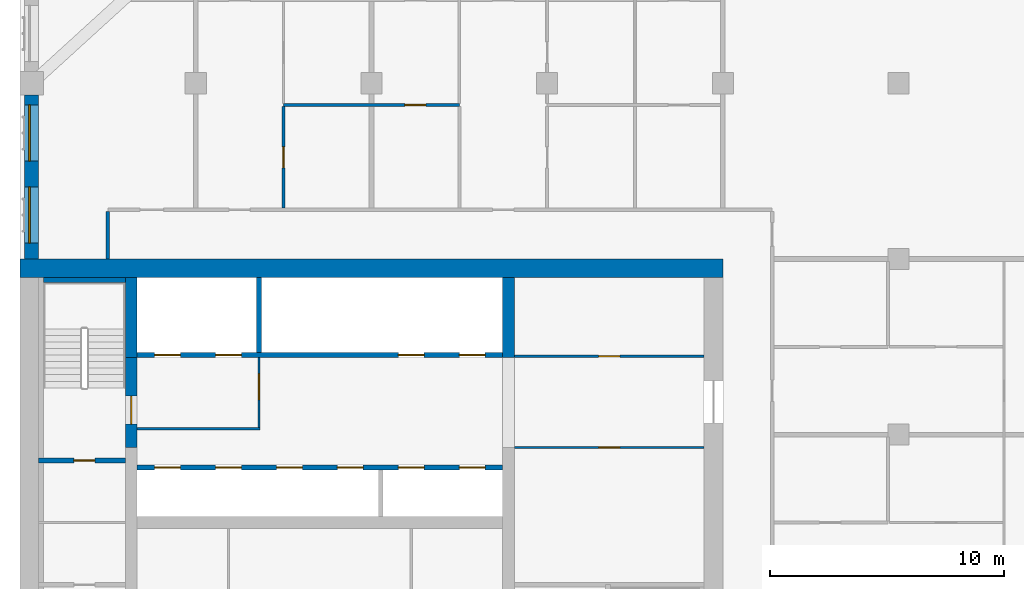
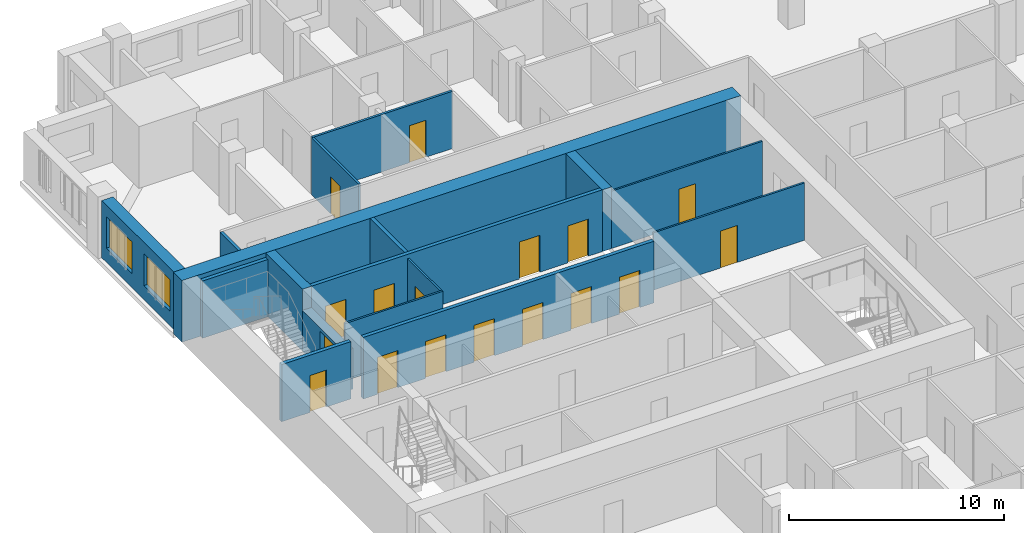
# One storey, part 9 of 14: 17 doors, 17 walls, 2 windows, 19 openings.
"""IFC4 building model written with IfcOpenShell, lengths in metres."""

from ifc_helpers import new_model, si_unit, direction, frame, frame_2d, origin, place, context, subcontext, project, spatial, rectangle, extrude, material, layer, layer_set, type_object, element, fill, save


model = new_model("IFC4")

# Units and contexts
model_context = context("Model", 3, precision=1e-05, world=origin(), true_north=direction((0.0, 1.0)))
body_context = subcontext(model_context, "Body", "Model", "MODEL_VIEW")
ifc_project = project(units=[si_unit("LENGTHUNIT", "METRE"), si_unit("AREAUNIT", "SQUARE_METRE"), si_unit("VOLUMEUNIT", "CUBIC_METRE"), si_unit("PLANEANGLEUNIT", "RADIAN"), si_unit("MASSUNIT", "GRAM", prefix="KILO")], contexts=[model_context])

# Site, building, storey
site_placement = place(None, origin())
site = spatial("IfcSite", under=ifc_project, at=site_placement, CompositionType="ELEMENT")
building_placement = place(site_placement, origin())
building = spatial("IfcBuilding", under=site, at=building_placement, Name="Tamorin Gate", CompositionType="ELEMENT")
storey_placement = place(building_placement, frame((0.0, 0.0, 203.699951171875)))
storey = spatial("IfcBuildingStorey", under=building, at=storey_placement, Name="L50", CompositionType="ELEMENT", Elevation=203.699951171875)

# Wall, openings, windows
ifc_material_1 = material(Name="Precast concrete C40/50", Category="concrete")
ifc_layer_1 = layer(ifc_material_1, 0.60009765625)
ifc_layer_set_1 = layer_set([ifc_layer_1], Name="Precast concrete C40/50")
wall_type_1 = type_object("IfcWallType", Name="Board-marked concrete facade panel 600", PredefinedType="SOLIDWALL", material=ifc_layer_set_1)
wall_1_placement = place(storey_placement, frame((30.5, 89.5, 0.0), z_axis=(0.0, 0.0, 1.0), x_axis=(0.0, -1.0, 0.0)))
wall_1 = element("IfcWall", 1, at=wall_1_placement, inside=storey, type_object=wall_type_1, Name="Facade panel", PredefinedType="SOLIDWALL", context=body_context, shape_type="SweptSolid", body=[
    extrude(rectangle(XDim=7.0, YDim=0.60009765625, at=frame_2d((3.5, 0.0))), origin(), (0.0, 0.0, 1.0), 3.25),
])
opening_1_placement = place(wall_1_placement, frame((3.925048828125, 0.0, 0.800048828125)))
opening_1 = element("IfcOpeningElement", 2, at=opening_1_placement, cuts=wall_1, Name="Opening WN1", PredefinedType="OPENING", context=body_context, shape_type="SweptSolid", body=[
    extrude(rectangle(XDim=2.39990234375, YDim=1.800048828125, at=frame_2d((1.199951171875, 0.89990234375))), frame((0.0, 0.31005859375, 0.0), z_axis=(0.0, -1.0, 0.0), x_axis=(1.0, 0.0, 0.0)), (0.0, 0.0, 1.0), 0.6201171875),
])
opening_2_placement = place(wall_1_placement, frame((0.425048828125, 0.0, 0.800048828125)))
opening_2 = element("IfcOpeningElement", 3, at=opening_2_placement, cuts=wall_1, Name="Opening WN1", PredefinedType="OPENING", context=body_context, shape_type="SweptSolid", body=[
    extrude(rectangle(XDim=2.39990234375, YDim=1.800048828125, at=frame_2d((1.199951171875, 0.89990234375))), frame((0.0, 0.31005859375, 0.0), z_axis=(0.0, -1.0, 0.0), x_axis=(1.0, 0.0, 0.0)), (0.0, 0.0, 1.0), 0.6201171875),
])
ifc_material_2 = material(Name="Clear glass in aluminium frame", Category="aluminium")
window_type = type_object("IfcWindowType", Name="Deep-set window 2400x1800", PartitioningType="SINGLE_PANEL", PredefinedType="WINDOW", material=ifc_material_2)
window_1_placement = place(opening_1_placement, origin())
window_1 = element("IfcWindow", 4, at=window_1_placement, inside=storey, type_object=window_type, Name="Deep-set window", OverallHeight=1.800048828125, OverallWidth=2.39990234375, PartitioningType="SINGLE_PANEL", PredefinedType="WINDOW", context=body_context, shape_type="SweptSolid", body=[
    extrude(rectangle(XDim=2.39990234375, YDim=1.800048828125, at=frame_2d((1.199951171875, 0.89990234375))), frame((0.0, -0.070068359375, 0.0), z_axis=(0.0, -1.0, 0.0), x_axis=(1.0, 0.0, 0.0)), (0.0, 0.0, 1.0), 0.06005859375),
])
fill(opening_1, window_1)
window_2_placement = place(opening_2_placement, origin())
window_2 = element("IfcWindow", 5, at=window_2_placement, inside=storey, type_object=window_type, Name="Deep-set window", OverallHeight=1.800048828125, OverallWidth=2.39990234375, PartitioningType="SINGLE_PANEL", PredefinedType="WINDOW", context=body_context, shape_type="SweptSolid", body=[
    extrude(rectangle(XDim=2.39990234375, YDim=1.800048828125, at=frame_2d((1.199951171875, 0.89990234375))), frame((0.0, -0.070068359375, 0.0), z_axis=(0.0, -1.0, 0.0), x_axis=(1.0, 0.0, 0.0)), (0.0, 0.0, 1.0), 0.06005859375),
])
fill(opening_2, window_2)

# Wall
ifc_material_3 = material(Name="Gypsum board partition")
ifc_layer_2 = layer(ifc_material_3, 0.14990234375)
ifc_layer_set_2 = layer_set([ifc_layer_2], Name="Corridor wall 150")
wall_type_2 = type_object("IfcWallType", Name="Corridor wall 150", PredefinedType="PARTITIONING", material=ifc_layer_set_2)
wall_2_placement = place(storey_placement, frame((33.75, 82.5, 0.0), z_axis=(0.0, 0.0, 1.0), x_axis=(0.0, 1.0, 0.0)))
element("IfcWall", 6, at=wall_2_placement, inside=storey, type_object=wall_type_2, Name="Corridor wall 150", PredefinedType="PARTITIONING", context=body_context, shape_type="SweptSolid", body=[
    extrude(rectangle(XDim=2.02490234375, YDim=0.14990234375, at=frame_2d((1.012451171875, 0.0))), origin(), (0.0, 0.0, 1.0), 3.25),
])

# Wall, openings, doors
ifc_material_4 = material(Name="Concrete C32/40", Category="concrete")
ifc_layer_3 = layer(ifc_material_4, 0.199951171875)
ifc_layer_set_3 = layer_set([ifc_layer_3], Name="Lift lobby face wall 200 EI 120")
wall_type_3 = type_object("IfcWallType", Name="Lift lobby face wall 200 EI 120", PredefinedType="SOLIDWALL", material=ifc_layer_set_3)
wall_3_placement = place(storey_placement, frame((35.0, 73.60009765625, 0.0), z_axis=(0.0, 0.0, 1.0), x_axis=(1.0, 0.0, 0.0)))
wall_3 = element("IfcWall", 7, at=wall_3_placement, inside=storey, type_object=wall_type_3, Name="Lift lobby face wall", PredefinedType="SOLIDWALL", context=body_context, shape_type="SweptSolid", body=[
    extrude(rectangle(XDim=15.60009765625, YDim=0.199951171875, at=frame_2d((7.800048828125, 0.0))), origin(), (0.0, 0.0, 1.0), 3.5),
])
opening_3_placement = place(wall_3_placement, frame((0.75, 0.0, 0.0)))
opening_3 = element("IfcOpeningElement", 8, at=opening_3_placement, cuts=wall_3, Name="Opening LD11", PredefinedType="OPENING", context=body_context, shape_type="SweptSolid", body=[
    extrude(rectangle(XDim=1.10009765625, YDim=2.10009765625, at=frame_2d((0.550048828125, 1.050048828125))), frame((0.0, 0.10986328125, 0.0), z_axis=(0.0, -1.0, 0.0), x_axis=(1.0, 0.0, 0.0)), (0.0, 0.0, 1.0), 0.219970703125),
])
opening_4_placement = place(wall_3_placement, frame((3.35009765625, 0.0, 0.0)))
opening_4 = element("IfcOpeningElement", 9, at=opening_4_placement, cuts=wall_3, Name="Opening LD12", PredefinedType="OPENING", context=body_context, shape_type="SweptSolid", body=[
    extrude(rectangle(XDim=1.10009765625, YDim=2.10009765625, at=frame_2d((0.550048828125, 1.050048828125))), frame((0.0, 0.10986328125, 0.0), z_axis=(0.0, -1.0, 0.0), x_axis=(1.0, 0.0, 0.0)), (0.0, 0.0, 1.0), 0.219970703125),
])
opening_5_placement = place(wall_3_placement, frame((5.949951171875, 0.0, 0.0)))
opening_5 = element("IfcOpeningElement", 10, at=opening_5_placement, cuts=wall_3, Name="Opening LD13", PredefinedType="OPENING", context=body_context, shape_type="SweptSolid", body=[
    extrude(rectangle(XDim=1.10009765625, YDim=2.10009765625, at=frame_2d((0.550048828125, 1.050048828125))), frame((0.0, 0.10986328125, 0.0), z_axis=(0.0, -1.0, 0.0), x_axis=(1.0, 0.0, 0.0)), (0.0, 0.0, 1.0), 0.219970703125),
])
opening_6_placement = place(wall_3_placement, frame((8.550048828125, 0.0, 0.0)))
opening_6 = element("IfcOpeningElement", 11, at=opening_6_placement, cuts=wall_3, Name="Opening LD14", PredefinedType="OPENING", context=body_context, shape_type="SweptSolid", body=[
    extrude(rectangle(XDim=1.10009765625, YDim=2.10009765625, at=frame_2d((0.550048828125, 1.050048828125))), frame((0.0, 0.10986328125, 0.0), z_axis=(0.0, -1.0, 0.0), x_axis=(1.0, 0.0, 0.0)), (0.0, 0.0, 1.0), 0.219970703125),
])
opening_7_placement = place(wall_3_placement, frame((11.14990234375, 0.0, 0.0)))
opening_7 = element("IfcOpeningElement", 12, at=opening_7_placement, cuts=wall_3, Name="Opening LD15", PredefinedType="OPENING", context=body_context, shape_type="SweptSolid", body=[
    extrude(rectangle(XDim=1.10009765625, YDim=2.10009765625, at=frame_2d((0.550048828125, 1.050048828125))), frame((0.0, 0.10986328125, 0.0), z_axis=(0.0, -1.0, 0.0), x_axis=(1.0, 0.0, 0.0)), (0.0, 0.0, 1.0), 0.219970703125),
])
opening_8_placement = place(wall_3_placement, frame((13.75, 0.0, 0.0)))
opening_8 = element("IfcOpeningElement", 13, at=opening_8_placement, cuts=wall_3, Name="Opening LD16", PredefinedType="OPENING", context=body_context, shape_type="SweptSolid", body=[
    extrude(rectangle(XDim=1.10009765625, YDim=2.10009765625, at=frame_2d((0.550048828125, 1.050048828125))), frame((0.0, 0.10986328125, 0.0), z_axis=(0.0, -1.0, 0.0), x_axis=(1.0, 0.0, 0.0)), (0.0, 0.0, 1.0), 0.219970703125),
])
ifc_material_5 = material(Name="Stainless steel sliding door", Category="steel")
door_type_1 = type_object("IfcDoorType", Name="Lift landing door 1100 x 2100 E 90", OperationType="DOUBLE_DOOR_SLIDING", PredefinedType="DOOR", material=ifc_material_5)
door_1_placement = place(opening_3_placement, origin())
door_1 = element("IfcDoor", 14, at=door_1_placement, inside=storey, type_object=door_type_1, Name="HR1 landing door", OperationType="DOUBLE_DOOR_SLIDING", OverallHeight=2.10009765625, OverallWidth=1.10009765625, PredefinedType="DOOR", context=body_context, shape_type="SweptSolid", body=[
    extrude(rectangle(XDim=1.10009765625, YDim=2.10009765625, at=frame_2d((0.550048828125, 1.050048828125))), frame((0.0, 0.02490234375, 0.0), z_axis=(0.0, -1.0, 0.0), x_axis=(1.0, 0.0, 0.0)), (0.0, 0.0, 1.0), 0.050048828125),
])
fill(opening_3, door_1)
door_2_placement = place(opening_4_placement, origin())
door_2 = element("IfcDoor", 15, at=door_2_placement, inside=storey, type_object=door_type_1, Name="HR2 landing door", OperationType="DOUBLE_DOOR_SLIDING", OverallHeight=2.10009765625, OverallWidth=1.10009765625, PredefinedType="DOOR", context=body_context, shape_type="SweptSolid", body=[
    extrude(rectangle(XDim=1.10009765625, YDim=2.10009765625, at=frame_2d((0.550048828125, 1.050048828125))), frame((0.0, 0.02490234375, 0.0), z_axis=(0.0, -1.0, 0.0), x_axis=(1.0, 0.0, 0.0)), (0.0, 0.0, 1.0), 0.050048828125),
])
fill(opening_4, door_2)
door_3_placement = place(opening_5_placement, origin())
door_3 = element("IfcDoor", 16, at=door_3_placement, inside=storey, type_object=door_type_1, Name="HR3 landing door", OperationType="DOUBLE_DOOR_SLIDING", OverallHeight=2.10009765625, OverallWidth=1.10009765625, PredefinedType="DOOR", context=body_context, shape_type="SweptSolid", body=[
    extrude(rectangle(XDim=1.10009765625, YDim=2.10009765625, at=frame_2d((0.550048828125, 1.050048828125))), frame((0.0, 0.02490234375, 0.0), z_axis=(0.0, -1.0, 0.0), x_axis=(1.0, 0.0, 0.0)), (0.0, 0.0, 1.0), 0.050048828125),
])
fill(opening_5, door_3)
door_4_placement = place(opening_6_placement, origin())
door_4 = element("IfcDoor", 17, at=door_4_placement, inside=storey, type_object=door_type_1, Name="HR4 landing door", OperationType="DOUBLE_DOOR_SLIDING", OverallHeight=2.10009765625, OverallWidth=1.10009765625, PredefinedType="DOOR", context=body_context, shape_type="SweptSolid", body=[
    extrude(rectangle(XDim=1.10009765625, YDim=2.10009765625, at=frame_2d((0.550048828125, 1.050048828125))), frame((0.0, 0.02490234375, 0.0), z_axis=(0.0, -1.0, 0.0), x_axis=(1.0, 0.0, 0.0)), (0.0, 0.0, 1.0), 0.050048828125),
])
fill(opening_6, door_4)
door_5_placement = place(opening_7_placement, origin())
door_5 = element("IfcDoor", 18, at=door_5_placement, inside=storey, type_object=door_type_1, Name="HR5 landing door", OperationType="DOUBLE_DOOR_SLIDING", OverallHeight=2.10009765625, OverallWidth=1.10009765625, PredefinedType="DOOR", context=body_context, shape_type="SweptSolid", body=[
    extrude(rectangle(XDim=1.10009765625, YDim=2.10009765625, at=frame_2d((0.550048828125, 1.050048828125))), frame((0.0, 0.02490234375, 0.0), z_axis=(0.0, -1.0, 0.0), x_axis=(1.0, 0.0, 0.0)), (0.0, 0.0, 1.0), 0.050048828125),
])
fill(opening_7, door_5)
door_6_placement = place(opening_8_placement, origin())
door_6 = element("IfcDoor", 19, at=door_6_placement, inside=storey, type_object=door_type_1, Name="HR6 landing door", OperationType="DOUBLE_DOOR_SLIDING", OverallHeight=2.10009765625, OverallWidth=1.10009765625, PredefinedType="DOOR", context=body_context, shape_type="SweptSolid", body=[
    extrude(rectangle(XDim=1.10009765625, YDim=2.10009765625, at=frame_2d((0.550048828125, 1.050048828125))), frame((0.0, 0.02490234375, 0.0), z_axis=(0.0, -1.0, 0.0), x_axis=(1.0, 0.0, 0.0)), (0.0, 0.0, 1.0), 0.050048828125),
])
fill(opening_8, door_6)

wall_4_placement = place(storey_placement, frame((35.0, 78.39990234375, 0.0), z_axis=(0.0, 0.0, 1.0), x_axis=(1.0, 0.0, 0.0)))
wall_4 = element("IfcWall", 20, at=wall_4_placement, inside=storey, type_object=wall_type_3, Name="Lift lobby face wall", PredefinedType="SOLIDWALL", context=body_context, shape_type="SweptSolid", body=[
    extrude(rectangle(XDim=15.60009765625, YDim=0.199951171875, at=frame_2d((7.800048828125, 0.0))), origin(), (0.0, 0.0, 1.0), 3.5),
])
opening_9_placement = place(wall_4_placement, frame((0.75, 0.0, 0.0)))
opening_9 = element("IfcOpeningElement", 21, at=opening_9_placement, cuts=wall_4, Name="Opening LD17", PredefinedType="OPENING", context=body_context, shape_type="SweptSolid", body=[
    extrude(rectangle(XDim=1.10009765625, YDim=2.10009765625, at=frame_2d((0.550048828125, 1.050048828125))), frame((0.0, 0.10986328125, 0.0), z_axis=(0.0, -1.0, 0.0), x_axis=(1.0, 0.0, 0.0)), (0.0, 0.0, 1.0), 0.219970703125),
])
opening_10_placement = place(wall_4_placement, frame((3.35009765625, 0.0, 0.0)))
opening_10 = element("IfcOpeningElement", 22, at=opening_10_placement, cuts=wall_4, Name="Opening LD18", PredefinedType="OPENING", context=body_context, shape_type="SweptSolid", body=[
    extrude(rectangle(XDim=1.10009765625, YDim=2.10009765625, at=frame_2d((0.550048828125, 1.050048828125))), frame((0.0, 0.10986328125, 0.0), z_axis=(0.0, -1.0, 0.0), x_axis=(1.0, 0.0, 0.0)), (0.0, 0.0, 1.0), 0.219970703125),
])
opening_11_placement = place(wall_4_placement, frame((11.14990234375, 0.0, 0.0)))
opening_11 = element("IfcOpeningElement", 23, at=opening_11_placement, cuts=wall_4, Name="Opening LD21", PredefinedType="OPENING", context=body_context, shape_type="SweptSolid", body=[
    extrude(rectangle(XDim=1.10009765625, YDim=2.10009765625, at=frame_2d((0.550048828125, 1.050048828125))), frame((0.0, 0.10986328125, 0.0), z_axis=(0.0, -1.0, 0.0), x_axis=(1.0, 0.0, 0.0)), (0.0, 0.0, 1.0), 0.219970703125),
])
opening_12_placement = place(wall_4_placement, frame((13.75, 0.0, 0.0)))
opening_12 = element("IfcOpeningElement", 24, at=opening_12_placement, cuts=wall_4, Name="Opening LD22", PredefinedType="OPENING", context=body_context, shape_type="SweptSolid", body=[
    extrude(rectangle(XDim=1.10009765625, YDim=2.10009765625, at=frame_2d((0.550048828125, 1.050048828125))), frame((0.0, 0.10986328125, 0.0), z_axis=(0.0, -1.0, 0.0), x_axis=(1.0, 0.0, 0.0)), (0.0, 0.0, 1.0), 0.219970703125),
])
door_7_placement = place(opening_9_placement, origin())
door_7 = element("IfcDoor", 25, at=door_7_placement, inside=storey, type_object=door_type_1, Name="FF1 landing door", OperationType="DOUBLE_DOOR_SLIDING", OverallHeight=2.10009765625, OverallWidth=1.10009765625, PredefinedType="DOOR", context=body_context, shape_type="SweptSolid", body=[
    extrude(rectangle(XDim=1.10009765625, YDim=2.10009765625, at=frame_2d((0.550048828125, 1.050048828125))), frame((0.0, 0.02490234375, 0.0), z_axis=(0.0, -1.0, 0.0), x_axis=(1.0, 0.0, 0.0)), (0.0, 0.0, 1.0), 0.050048828125),
])
fill(opening_9, door_7)
door_8_placement = place(opening_10_placement, origin())
door_8 = element("IfcDoor", 26, at=door_8_placement, inside=storey, type_object=door_type_1, Name="FF2 landing door", OperationType="DOUBLE_DOOR_SLIDING", OverallHeight=2.10009765625, OverallWidth=1.10009765625, PredefinedType="DOOR", context=body_context, shape_type="SweptSolid", body=[
    extrude(rectangle(XDim=1.10009765625, YDim=2.10009765625, at=frame_2d((0.550048828125, 1.050048828125))), frame((0.0, 0.02490234375, 0.0), z_axis=(0.0, -1.0, 0.0), x_axis=(1.0, 0.0, 0.0)), (0.0, 0.0, 1.0), 0.050048828125),
])
fill(opening_10, door_8)
door_9_placement = place(opening_11_placement, origin())
door_9 = element("IfcDoor", 27, at=door_9_placement, inside=storey, type_object=door_type_1, Name="SV1 landing door", OperationType="DOUBLE_DOOR_SLIDING", OverallHeight=2.10009765625, OverallWidth=1.10009765625, PredefinedType="DOOR", context=body_context, shape_type="SweptSolid", body=[
    extrude(rectangle(XDim=1.10009765625, YDim=2.10009765625, at=frame_2d((0.550048828125, 1.050048828125))), frame((0.0, 0.02490234375, 0.0), z_axis=(0.0, -1.0, 0.0), x_axis=(1.0, 0.0, 0.0)), (0.0, 0.0, 1.0), 0.050048828125),
])
fill(opening_11, door_9)
door_10_placement = place(opening_12_placement, origin())
door_10 = element("IfcDoor", 28, at=door_10_placement, inside=storey, type_object=door_type_1, Name="SV2 landing door", OperationType="DOUBLE_DOOR_SLIDING", OverallHeight=2.10009765625, OverallWidth=1.10009765625, PredefinedType="DOOR", context=body_context, shape_type="SweptSolid", body=[
    extrude(rectangle(XDim=1.10009765625, YDim=2.10009765625, at=frame_2d((0.550048828125, 1.050048828125))), frame((0.0, 0.02490234375, 0.0), z_axis=(0.0, -1.0, 0.0), x_axis=(1.0, 0.0, 0.0)), (0.0, 0.0, 1.0), 0.050048828125),
])
fill(opening_12, door_10)

# Walls
ifc_layer_4 = layer(ifc_material_4, 0.199951171875)
ifc_layer_set_4 = layer_set([ifc_layer_4], Name="Lift shaft wall 200 EI 120")
wall_type_4 = type_object("IfcWallType", Name="Lift shaft wall 200 EI 120", PredefinedType="SOLIDWALL", material=ifc_layer_set_4)
wall_5_placement = place(storey_placement, frame((40.199951171875, 78.5, 0.0), z_axis=(0.0, 0.0, 1.0), x_axis=(0.0, 1.0, 0.0)))
element("IfcWall", 29, at=wall_5_placement, inside=storey, type_object=wall_type_4, Name="Lift shaft wall", PredefinedType="SOLIDWALL", context=body_context, shape_type="SweptSolid", body=[
    extrude(rectangle(XDim=3.199951171875, YDim=0.199951171875, at=frame_2d((1.60009765625, 0.0))), origin(), (0.0, 0.0, 1.0), 3.5),
])
ifc_material_6 = material(Name="Fire-rated gypsum board partition")
ifc_layer_5 = layer(ifc_material_6, 0.10009765625)
ifc_layer_set_5 = layer_set([ifc_layer_5], Name="Lobby wall 100 EI 60")
wall_type_5 = type_object("IfcWallType", Name="Lobby wall 100 EI 60", PredefinedType="PARTITIONING", material=ifc_layer_set_5)
wall_6_placement = place(storey_placement, frame((35.0, 75.25, 0.0), z_axis=(0.0, 0.0, 1.0), x_axis=(1.0, 0.0, 0.0)))
element("IfcWall", 30, at=wall_6_placement, inside=storey, type_object=wall_type_5, Name="Firefighting lobby wall", PredefinedType="PARTITIONING", context=body_context, shape_type="SweptSolid", body=[
    extrude(rectangle(XDim=5.25, YDim=0.10009765625, at=frame_2d((2.625, 0.0))), origin(), (0.0, 0.0, 1.0), 3.25),
])

# Wall, opening, door
wall_7_placement = place(storey_placement, frame((40.199951171875, 75.300048828125, 0.0), z_axis=(0.0, 0.0, 1.0), x_axis=(0.0, 1.0, 0.0)))
wall_7 = element("IfcWall", 31, at=wall_7_placement, inside=storey, type_object=wall_type_5, Name="Firefighting lobby wall", PredefinedType="PARTITIONING", context=body_context, shape_type="SweptSolid", body=[
    extrude(rectangle(XDim=3.0, YDim=0.10009765625, at=frame_2d((1.5, 0.0))), origin(), (0.0, 0.0, 1.0), 3.25),
])
opening_13_placement = place(wall_7_placement, frame((1.199951171875, 0.0, 0.0)))
opening_13 = element("IfcOpeningElement", 32, at=opening_13_placement, cuts=wall_7, Name="Opening DF1", PredefinedType="OPENING", context=body_context, shape_type="SweptSolid", body=[
    extrude(rectangle(XDim=1.10009765625, YDim=2.10009765625, at=frame_2d((0.550048828125, 1.050048828125))), frame((0.0, 0.06005859375, 0.0), z_axis=(0.0, -1.0, 0.0), x_axis=(1.0, 0.0, 0.0)), (0.0, 0.0, 1.0), 0.1201171875),
])
ifc_material_7 = material(Name="Steel fire door", Category="steel")
door_type_2 = type_object("IfcDoorType", Name="Firefighting lobby door 1100 x 2100 EI 90", OperationType="SINGLE_SWING_LEFT", PredefinedType="DOOR", material=ifc_material_7)
door_11_placement = place(opening_13_placement, origin())
door_11 = element("IfcDoor", 33, at=door_11_placement, inside=storey, type_object=door_type_2, Name="Firefighting lobby door", OperationType="SINGLE_SWING_LEFT", OverallHeight=2.10009765625, OverallWidth=1.10009765625, PredefinedType="DOOR", context=body_context, shape_type="SweptSolid", body=[
    extrude(rectangle(XDim=1.10009765625, YDim=2.10009765625, at=frame_2d((0.550048828125, 1.050048828125))), frame((0.0, 0.02490234375, 0.0), z_axis=(0.0, -1.0, 0.0), x_axis=(1.0, 0.0, 0.0)), (0.0, 0.0, 1.0), 0.050048828125),
])
fill(opening_13, door_11)

# Walls
ifc_material_8 = material(Name="Concrete C60/75", Category="concrete")
ifc_layer_6 = layer(ifc_material_8, 0.5)
ifc_layer_set_6 = layer_set([ifc_layer_6], Name="RC core internal wall 500 C60/75")
wall_type_6 = type_object("IfcWallType", Name="RC core internal wall 500 C60/75", PredefinedType="SHEAR", material=ifc_layer_set_6)
for number, where, z_axis, x_axis, name in (
    (34, (34.75, 78.300048828125, 0.0), (0.0, 0.0, 1.0), (0.0, 1.0, 0.0), "Core cross wall L50"),
    (35, (50.85009765625, 78.300048828125, 0.0), (0.0, 0.0, 1.0), (0.0, 1.0, 0.0), "Core cross wall L50"),
):
    element("IfcWall", number, at=place(storey_placement, frame(where, z_axis=z_axis, x_axis=x_axis)), inside=storey, type_object=wall_type_6, Name=name, PredefinedType="SHEAR", context=body_context, shape_type="SweptSolid", body=[
        extrude(rectangle(XDim=3.39990234375, YDim=0.5, at=frame_2d((1.699951171875, 0.0))), origin(), (0.0, 0.0, 1.0), 3.5),
    ])
ifc_layer_7 = layer(ifc_material_8, 0.800048828125)
ifc_layer_set_7 = layer_set([ifc_layer_7], Name="RC core wall 800 C60/75")
wall_type_7 = type_object("IfcWallType", Name="RC core wall 800 C60/75", PredefinedType="SHEAR", material=ifc_layer_set_7)
wall_8_placement = place(storey_placement, frame((30.0, 82.10009765625, 0.0), z_axis=(0.0, 0.0, 1.0), x_axis=(1.0, 0.0, 0.0)))
element("IfcWall", 36, at=wall_8_placement, inside=storey, type_object=wall_type_7, Name="Core wall L50", PredefinedType="SHEAR", context=body_context, shape_type="SweptSolid", body=[
    extrude(rectangle(XDim=30.0, YDim=0.800048828125, at=frame_2d((15.0, 0.0))), origin(), (0.0, 0.0, 1.0), 3.5),
])

# Wall, opening, door
ifc_layer_8 = layer(ifc_material_3, 0.10009765625)
ifc_layer_set_8 = layer_set([ifc_layer_8], Name="Service room partition 100 EI 60")
wall_type_8 = type_object("IfcWallType", Name="Service room partition 100 EI 60", PredefinedType="PARTITIONING", material=ifc_layer_set_8)
wall_9_placement = place(storey_placement, frame((51.10009765625, 74.449951171875, 0.0), z_axis=(0.0, 0.0, 1.0), x_axis=(1.0, 0.0, 0.0)))
wall_9 = element("IfcWall", 37, at=wall_9_placement, inside=storey, type_object=wall_type_8, Name="Service room wall", PredefinedType="PARTITIONING", context=body_context, shape_type="SweptSolid", body=[
    extrude(rectangle(XDim=8.099853515625, YDim=0.10009765625, at=frame_2d((4.0498046875, 0.0))), origin(), (0.0, 0.0, 1.0), 3.25),
])
opening_14_placement = place(wall_9_placement, frame((3.60009765625, 0.0, 0.0)))
opening_14 = element("IfcOpeningElement", 38, at=opening_14_placement, cuts=wall_9, Name="Opening DR1", PredefinedType="OPENING", context=body_context, shape_type="SweptSolid", body=[
    extrude(rectangle(XDim=0.89990234375, YDim=2.10009765625, at=frame_2d((0.449951171875, 1.050048828125))), frame((0.0, 0.06005859375, 0.0), z_axis=(0.0, -1.0, 0.0), x_axis=(1.0, 0.0, 0.0)), (0.0, 0.0, 1.0), 0.1201171875),
])
door_type_3 = type_object("IfcDoorType", Name="Riser access door 900 x 2100 EI 120", OperationType="SINGLE_SWING_LEFT", PredefinedType="DOOR", material=ifc_material_7)
door_12_placement = place(opening_14_placement, origin())
door_12 = element("IfcDoor", 39, at=door_12_placement, inside=storey, type_object=door_type_3, Name="Duct riser door", OperationType="SINGLE_SWING_RIGHT", OverallHeight=2.10009765625, OverallWidth=0.89990234375, PredefinedType="DOOR", context=body_context, shape_type="SweptSolid", body=[
    extrude(rectangle(XDim=0.89990234375, YDim=2.10009765625, at=frame_2d((0.449951171875, 1.050048828125))), frame((0.0, 0.02490234375, 0.0), z_axis=(0.0, -1.0, 0.0), x_axis=(1.0, 0.0, 0.0)), (0.0, 0.0, 1.0), 0.050048828125),
])
fill(opening_14, door_12)

wall_10_placement = place(storey_placement, frame((51.10009765625, 78.35009765625, 0.0), z_axis=(0.0, 0.0, 1.0), x_axis=(1.0, 0.0, 0.0)))
wall_10 = element("IfcWall", 40, at=wall_10_placement, inside=storey, type_object=wall_type_8, Name="Service room wall", PredefinedType="PARTITIONING", context=body_context, shape_type="SweptSolid", body=[
    extrude(rectangle(XDim=8.099853515625, YDim=0.10009765625, at=frame_2d((4.0498046875, 0.0))), origin(), (0.0, 0.0, 1.0), 3.25),
])
opening_15_placement = place(wall_10_placement, frame((3.60009765625, 0.0, 0.0)))
opening_15 = element("IfcOpeningElement", 41, at=opening_15_placement, cuts=wall_10, Name="Opening DK1", PredefinedType="OPENING", context=body_context, shape_type="SweptSolid", body=[
    extrude(rectangle(XDim=0.89990234375, YDim=2.10009765625, at=frame_2d((0.449951171875, 1.050048828125))), frame((0.0, 0.06005859375, 0.0), z_axis=(0.0, -1.0, 0.0), x_axis=(1.0, 0.0, 0.0)), (0.0, 0.0, 1.0), 0.1201171875),
])
ifc_material_9 = material(Name="Timber fire door", Category="wood")
door_type_4 = type_object("IfcDoorType", Name="Service room door 900 x 2100 EI 60", OperationType="SINGLE_SWING_LEFT", PredefinedType="DOOR", material=ifc_material_9)
door_13_placement = place(opening_15_placement, origin())
door_13 = element("IfcDoor", 42, at=door_13_placement, inside=storey, type_object=door_type_4, Name="Door Linen store", OperationType="SINGLE_SWING_RIGHT", OverallHeight=2.10009765625, OverallWidth=0.89990234375, PredefinedType="DOOR", context=body_context, shape_type="SweptSolid", body=[
    extrude(rectangle(XDim=0.89990234375, YDim=2.10009765625, at=frame_2d((0.449951171875, 1.050048828125))), frame((0.0, 0.02490234375, 0.0), z_axis=(0.0, -1.0, 0.0), x_axis=(1.0, 0.0, 0.0)), (0.0, 0.0, 1.0), 0.050048828125),
])
fill(opening_15, door_13)

ifc_material_10 = material(Name="Concrete C40/50", Category="concrete")
ifc_layer_9 = layer(ifc_material_10, 0.199951171875)
ifc_layer_set_9 = layer_set([ifc_layer_9], Name="Stair enclosure wall 200 EI 120 C40/50")
wall_type_9 = type_object("IfcWallType", Name="Stair enclosure wall 200 EI 120 C40/50", PredefinedType="SOLIDWALL", material=ifc_layer_set_9)
wall_11_placement = place(storey_placement, frame((30.800048828125, 73.89990234375, 0.0), z_axis=(0.0, 0.0, 1.0), x_axis=(1.0, 0.0, 0.0)))
wall_11 = element("IfcWall", 43, at=wall_11_placement, inside=storey, type_object=wall_type_9, Name="Stair enclosure wall", PredefinedType="SOLIDWALL", context=body_context, shape_type="SweptSolid", body=[
    extrude(rectangle(XDim=3.699951171875, YDim=0.199951171875, at=frame_2d((1.85009765625, 0.0))), origin(), (0.0, 0.0, 1.0), 3.25),
])
opening_16_placement = place(wall_11_placement, frame((1.5, 0.0, 0.0)))
opening_16 = element("IfcOpeningElement", 44, at=opening_16_placement, cuts=wall_11, Name="Opening DR1", PredefinedType="OPENING", context=body_context, shape_type="SweptSolid", body=[
    extrude(rectangle(XDim=0.89990234375, YDim=2.10009765625, at=frame_2d((0.449951171875, 1.050048828125))), frame((0.0, 0.10986328125, 0.0), z_axis=(0.0, -1.0, 0.0), x_axis=(1.0, 0.0, 0.0)), (0.0, 0.0, 1.0), 0.219970703125),
])
door_14_placement = place(opening_16_placement, origin())
door_14 = element("IfcDoor", 45, at=door_14_placement, inside=storey, type_object=door_type_3, Name="Communications riser door", OperationType="SINGLE_SWING_RIGHT", OverallHeight=2.10009765625, OverallWidth=0.89990234375, PredefinedType="DOOR", context=body_context, shape_type="SweptSolid", body=[
    extrude(rectangle(XDim=0.89990234375, YDim=2.10009765625, at=frame_2d((0.449951171875, 1.050048828125))), frame((0.0, 0.02490234375, 0.0), z_axis=(0.0, -1.0, 0.0), x_axis=(1.0, 0.0, 0.0)), (0.0, 0.0, 1.0), 0.050048828125),
])
fill(opening_16, door_14)

# Wall
ifc_layer_10 = layer(ifc_material_8, 0.199951171875)
ifc_layer_set_10 = layer_set([ifc_layer_10], Name="Stair lining wall 200 EI 120 C60/75")
wall_type_10 = type_object("IfcWallType", Name="Stair lining wall 200 EI 120 C60/75", PredefinedType="SOLIDWALL", material=ifc_layer_set_10)
wall_12_placement = place(storey_placement, frame((31.0, 81.60009765625, 0.0), z_axis=(0.0, 0.0, 1.0), x_axis=(1.0, 0.0, 0.0)))
element("IfcWall", 46, at=wall_12_placement, inside=storey, type_object=wall_type_10, Name="Stair lining wall", PredefinedType="SOLIDWALL", context=body_context, shape_type="SweptSolid", body=[
    extrude(rectangle(XDim=3.5, YDim=0.199951171875, at=frame_2d((1.75, 0.0))), origin(), (0.0, 0.0, 1.0), 3.25),
])

# Wall, opening, door
ifc_layer_11 = layer(ifc_material_4, 0.5)
ifc_layer_set_11 = layer_set([ifc_layer_11], Name="Stair lobby infill wall 500 EI 120")
wall_type_11 = type_object("IfcWallType", Name="Stair lobby infill wall 500 EI 120", PredefinedType="SOLIDWALL", material=ifc_layer_set_11)
wall_13_placement = place(storey_placement, frame((34.75, 74.449951171875, 0.0), z_axis=(0.0, 0.0, 1.0), x_axis=(0.0, 1.0, 0.0)))
wall_13 = element("IfcWall", 47, at=wall_13_placement, inside=storey, type_object=wall_type_11, Name="Stair lobby infill wall", PredefinedType="SOLIDWALL", context=body_context, shape_type="SweptSolid", body=[
    extrude(rectangle(XDim=3.85009765625, YDim=0.5, at=frame_2d((1.925048828125, 0.0))), origin(), (0.0, 0.0, 1.0), 2.300048828125),
])
opening_17_placement = place(wall_13_placement, frame((1.0, 0.0, 0.0)))
opening_17 = element("IfcOpeningElement", 48, at=opening_17_placement, cuts=wall_13, Name="Opening DS1", PredefinedType="OPENING", context=body_context, shape_type="SweptSolid", body=[
    extrude(rectangle(XDim=1.199951171875, YDim=2.10009765625, at=frame_2d((0.60009765625, 1.050048828125))), frame((0.0, 0.260009765625, 0.0), z_axis=(0.0, -1.0, 0.0), x_axis=(1.0, 0.0, 0.0)), (0.0, 0.0, 1.0), 0.52001953125),
])
door_type_5 = type_object("IfcDoorType", Name="Stair door 1200 x 2100 EI 90", OperationType="SINGLE_SWING_LEFT", PredefinedType="DOOR", material=ifc_material_7)
door_15_placement = place(opening_17_placement, origin())
door_15 = element("IfcDoor", 49, at=door_15_placement, inside=storey, type_object=door_type_5, Name="ST2 door", OperationType="SINGLE_SWING_RIGHT", OverallHeight=2.10009765625, OverallWidth=1.199951171875, PredefinedType="DOOR", context=body_context, shape_type="SweptSolid", body=[
    extrude(rectangle(XDim=1.199951171875, YDim=2.10009765625, at=frame_2d((0.60009765625, 1.050048828125))), frame((0.0, 0.02490234375, 0.0), z_axis=(0.0, -1.0, 0.0), x_axis=(1.0, 0.0, 0.0)), (0.0, 0.0, 1.0), 0.050048828125),
])
fill(opening_17, door_15)

ifc_layer_12 = layer(ifc_material_3, 0.125)
ifc_layer_set_12 = layer_set([ifc_layer_12], Name="Wet wall 125")
wall_type_12 = type_object("IfcWallType", Name="Wet wall 125", PredefinedType="PARTITIONING", material=ifc_layer_set_12)
wall_14_placement = place(storey_placement, frame((41.25, 89.074951171875, 0.0), z_axis=(0.0, 0.0, 1.0), x_axis=(1.0, 0.0, 0.0)))
wall_14 = element("IfcWall", 50, at=wall_14_placement, inside=storey, type_object=wall_type_12, Name="Wet wall 125", PredefinedType="PARTITIONING", context=body_context, shape_type="SweptSolid", body=[
    extrude(rectangle(XDim=7.5, YDim=0.125, at=frame_2d((3.75, 0.0))), origin(), (0.0, 0.0, 1.0), 3.25),
])
opening_18_placement = place(wall_14_placement, frame((5.175048828125, 0.0, 0.0)))
opening_18 = element("IfcOpeningElement", 51, at=opening_18_placement, cuts=wall_14, Name="Opening DR4020", PredefinedType="OPENING", context=body_context, shape_type="SweptSolid", body=[
    extrude(rectangle(XDim=0.89990234375, YDim=2.10009765625, at=frame_2d((0.449951171875, 1.050048828125))), frame((0.0, 0.072509765625, 0.0), z_axis=(0.0, -1.0, 0.0), x_axis=(1.0, 0.0, 0.0)), (0.0, 0.0, 1.0), 0.14501953125),
])
ifc_material_11 = material(Name="Timber door leaf", Category="wood")
door_type_6 = type_object("IfcDoorType", Name="Door 900 x 2100", OperationType="NOTDEFINED", PredefinedType="DOOR", material=ifc_material_11)
door_16_placement = place(opening_18_placement, origin())
door_16 = element("IfcDoor", 52, at=door_16_placement, inside=storey, type_object=door_type_6, Name="Door DR4020", OperationType="SINGLE_SWING_RIGHT", OverallHeight=2.10009765625, OverallWidth=0.89990234375, PredefinedType="DOOR", context=body_context, shape_type="SweptSolid", body=[
    extrude(rectangle(XDim=0.89990234375, YDim=2.10009765625, at=frame_2d((0.449951171875, 1.050048828125))), frame((0.0, 0.02490234375, 0.0), z_axis=(0.0, -1.0, 0.0), x_axis=(1.0, 0.0, 0.0)), (0.0, 0.0, 1.0), 0.050048828125),
])
fill(opening_18, door_16)

wall_15_placement = place(storey_placement, frame((41.25, 84.675048828125, 0.0), z_axis=(0.0, 0.0, 1.0), x_axis=(0.0, 1.0, 0.0)))
wall_15 = element("IfcWall", 53, at=wall_15_placement, inside=storey, type_object=wall_type_12, Name="Wet wall 125", PredefinedType="PARTITIONING", context=body_context, shape_type="SweptSolid", body=[
    extrude(rectangle(XDim=4.33740234375, YDim=0.125, at=frame_2d((2.168701171875, 0.0))), origin(), (0.0, 0.0, 1.0), 3.25),
])
opening_19_placement = place(wall_15_placement, frame((1.71240234375, 0.0, 0.0)))
opening_19 = element("IfcOpeningElement", 54, at=opening_19_placement, cuts=wall_15, Name="Opening DR4018", PredefinedType="OPENING", context=body_context, shape_type="SweptSolid", body=[
    extrude(rectangle(XDim=0.89990234375, YDim=2.10009765625, at=frame_2d((0.449951171875, 1.050048828125))), frame((0.0, 0.072509765625, 0.0), z_axis=(0.0, -1.0, 0.0), x_axis=(1.0, 0.0, 0.0)), (0.0, 0.0, 1.0), 0.14501953125),
])
door_17_placement = place(opening_19_placement, origin())
door_17 = element("IfcDoor", 55, at=door_17_placement, inside=storey, type_object=door_type_6, Name="Door DR4018", OperationType="SINGLE_SWING_LEFT", OverallHeight=2.10009765625, OverallWidth=0.89990234375, PredefinedType="DOOR", context=body_context, shape_type="SweptSolid", body=[
    extrude(rectangle(XDim=0.89990234375, YDim=2.10009765625, at=frame_2d((0.449951171875, 1.050048828125))), frame((0.0, 0.02490234375, 0.0), z_axis=(0.0, -1.0, 0.0), x_axis=(1.0, 0.0, 0.0)), (0.0, 0.0, 1.0), 0.050048828125),
])
fill(opening_19, door_17)

save(model, "model.ifc")
